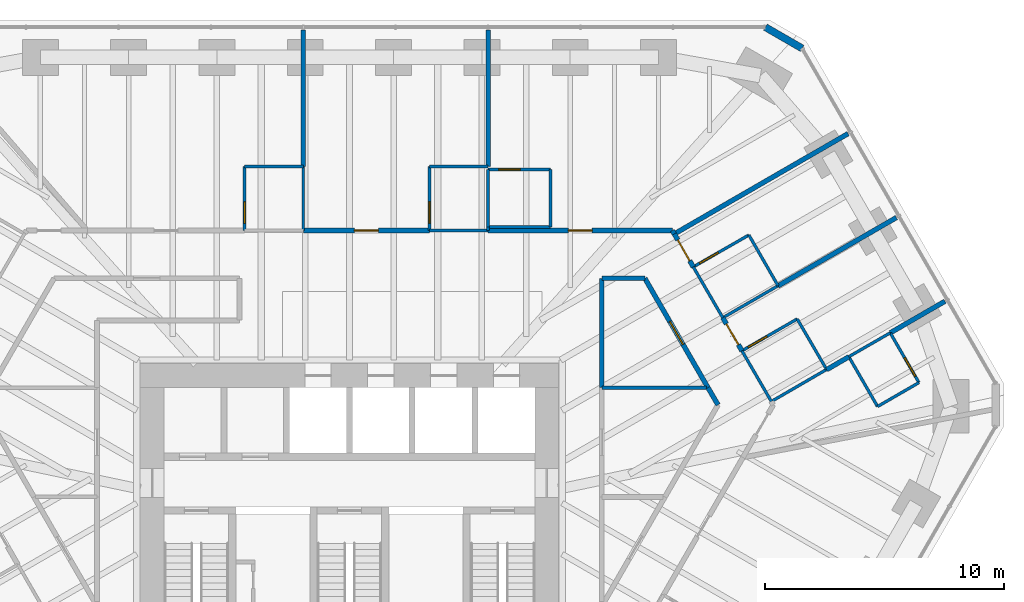
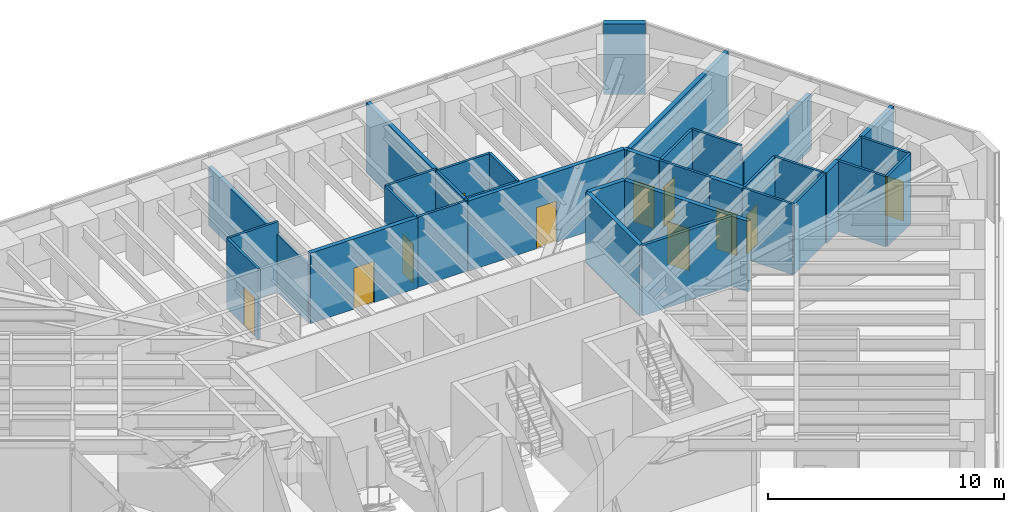
# One storey, part 15 of 17: 40 walls, 11 doors, 11 openings.
"""IFC4 building model written with IfcOpenShell, lengths in metres."""

from ifc_helpers import new_model, si_unit, direction, frame, frame_2d, origin, place, context, subcontext, project, spatial, rectangle, extrude, material, layer, layer_set, type_object, element, fill, save


model = new_model("IFC4")

# Units and contexts
model_context = context("Model", 3, precision=1e-05, world=origin(), true_north=direction((0.0, 1.0)))
body_context = subcontext(model_context, "Body", "Model", "MODEL_VIEW")
ifc_project = project(units=[si_unit("LENGTHUNIT", "METRE"), si_unit("AREAUNIT", "SQUARE_METRE"), si_unit("VOLUMEUNIT", "CUBIC_METRE"), si_unit("PLANEANGLEUNIT", "RADIAN"), si_unit("MASSUNIT", "GRAM", prefix="KILO")], contexts=[model_context])

# Site, building, storey
site_placement = place(None, origin())
site = spatial("IfcSite", under=ifc_project, at=site_placement, CompositionType="ELEMENT")
building_placement = place(site_placement, origin())
building = spatial("IfcBuilding", under=site, at=building_placement, Name="Sandreach Pilgrim Tower", CompositionType="ELEMENT")
storey_placement = place(building_placement, frame((0.0, 0.0, 198.39990234375)))
storey = spatial("IfcBuildingStorey", under=building, at=storey_placement, Name="L49", CompositionType="ELEMENT", Elevation=198.39990234375)

# Wall
ifc_material_1 = material(Name="Gypsum board on steel studs", Category="steel")
ifc_layer_1 = layer(ifc_material_1, 0.14990234375)
ifc_layer_set_1 = layer_set([ifc_layer_1], Name="Back of house wall 150")
wall_type_1 = type_object("IfcWallType", Name="Back of house wall 150", PredefinedType="PARTITIONING", material=ifc_layer_set_1)
wall_1_placement = place(storey_placement, frame((14.93505859375, 6.090087890625, 0.0), z_axis=(0.0, 0.0, 1.0), x_axis=(-1.0, 0.0, 0.0)))
element("IfcWall", 1, at=wall_1_placement, inside=storey, type_object=wall_type_1, Name="Back of house wall L49-140", PredefinedType="PARTITIONING", context=body_context, shape_type="SweptSolid", body=[
    extrude(rectangle(XDim=4.385009765625, YDim=0.14990234375, at=frame_2d((2.1923828125, 0.0))), origin(), (0.0, 0.0, 1.0), 3.64013671875),
])

# Wall, opening, door
ifc_material_2 = material(Name="Moisture-resistant gypsum board on steel studs", Category="steel")
ifc_layer_2 = layer(ifc_material_2, 0.1201171875)
ifc_layer_set_2 = layer_set([ifc_layer_2], Name="Bathroom partition 120")
wall_type_2 = type_object("IfcWallType", Name="Bathroom partition 120", PredefinedType="PARTITIONING", material=ifc_layer_set_2)
wall_2_placement = place(storey_placement, frame((-4.3798828125, 15.330078125, 0.0), z_axis=(0.0, 0.0, 1.0), x_axis=(0.0, -1.0, 0.0)))
wall_2 = element("IfcWall", 2, at=wall_2_placement, inside=storey, type_object=wall_type_2, Name="Bathroom partition L49-064", PredefinedType="PARTITIONING", context=body_context, shape_type="SweptSolid", body=[
    extrude(rectangle(XDim=2.670166015625, YDim=0.1201171875, at=frame_2d((1.3349609375, 0.0))), origin(), (0.0, 0.0, 1.0), 3.64013671875),
])
opening_1_placement = place(wall_2_placement, frame((1.469970703125, 0.0, 0.0)))
opening_1 = element("IfcOpeningElement", 3, at=opening_1_placement, cuts=wall_2, Name="Opening D09-01B", PredefinedType="OPENING", context=body_context, shape_type="SweptSolid", body=[
    extrude(rectangle(XDim=0.89990234375, YDim=2.030029296875, at=frame_2d((0.449951171875, 1.01513671875))), frame((0.0, 0.06005859375, 0.0), z_axis=(0.0, -1.0, 0.0), x_axis=(1.0, 0.0, 0.0)), (0.0, 0.0, 1.0), 0.1201171875),
])
ifc_material_3 = material(Name="Timber door, steel frame", Category="steel")
door_type_1 = type_object("IfcDoorType", Name="Bathroom door", OperationType="SINGLE_SWING_LEFT", PredefinedType="DOOR", material=ifc_material_3)
door_1_placement = place(opening_1_placement, origin())
door_1 = element("IfcDoor", 4, at=door_1_placement, inside=storey, type_object=door_type_1, Name="Door 4901B", OperationType="SINGLE_SWING_RIGHT", OverallHeight=2.030029296875, OverallWidth=0.89990234375, PredefinedType="DOOR", context=body_context, shape_type="SweptSolid", body=[
    extrude(rectangle(XDim=0.89990234375, YDim=2.030029296875, at=frame_2d((0.449951171875, 1.01513671875))), frame((0.0, 0.02490234375, 0.0), z_axis=(0.0, -1.0, 0.0), x_axis=(1.0, 0.0, 0.0)), (0.0, 0.0, 1.0), 0.050048828125),
])
fill(opening_1, door_1)

# Walls
wall_3_placement = place(storey_placement, frame((-1.929931640625, 15.330078125, 0.0), z_axis=(0.0, 0.0, 1.0), x_axis=(-1.0, 0.0, 0.0)))
element("IfcWall", 5, at=wall_3_placement, inside=storey, type_object=wall_type_2, Name="Bathroom partition L49-077", PredefinedType="PARTITIONING", context=body_context, shape_type="SweptSolid", body=[
    extrude(rectangle(XDim=2.449951171875, YDim=0.1201171875, at=frame_2d((1.22509765625, 0.0))), origin(), (0.0, 0.0, 1.0), 3.64013671875),
])
wall_4_placement = place(storey_placement, frame((-1.929931640625, 15.330078125, 0.0), z_axis=(0.0, 0.0, 1.0), x_axis=(0.0, -1.0, 0.0)))
element("IfcWall", 6, at=wall_4_placement, inside=storey, type_object=wall_type_2, Name="Bathroom partition L49-078", PredefinedType="PARTITIONING", context=body_context, shape_type="SweptSolid", body=[
    extrude(rectangle(XDim=2.670166015625, YDim=0.1201171875, at=frame_2d((1.3349609375, 0.0))), origin(), (0.0, 0.0, 1.0), 3.02294921875),
])

# Wall, opening, door
wall_5_placement = place(storey_placement, frame((3.35009765625, 15.330078125, 0.0), z_axis=(0.0, 0.0, 1.0), x_axis=(0.0, -1.0, 0.0)))
wall_5 = element("IfcWall", 7, at=wall_5_placement, inside=storey, type_object=wall_type_2, Name="Bathroom partition L49-094", PredefinedType="PARTITIONING", context=body_context, shape_type="SweptSolid", body=[
    extrude(rectangle(XDim=2.670166015625, YDim=0.1201171875, at=frame_2d((1.3349609375, 0.0))), origin(), (0.0, 0.0, 1.0), 3.64013671875),
])
opening_2_placement = place(wall_5_placement, frame((1.469970703125, 0.0, 0.0)))
opening_2 = element("IfcOpeningElement", 8, at=opening_2_placement, cuts=wall_5, Name="Opening D09-02B", PredefinedType="OPENING", context=body_context, shape_type="SweptSolid", body=[
    extrude(rectangle(XDim=0.89990234375, YDim=2.030029296875, at=frame_2d((0.449951171875, 1.01513671875))), frame((0.0, 0.06005859375, 0.0), z_axis=(0.0, -1.0, 0.0), x_axis=(1.0, 0.0, 0.0)), (0.0, 0.0, 1.0), 0.1201171875),
])
door_2_placement = place(opening_2_placement, origin())
door_2 = element("IfcDoor", 9, at=door_2_placement, inside=storey, type_object=door_type_1, Name="Door 4902B", OperationType="SINGLE_SWING_RIGHT", OverallHeight=2.030029296875, OverallWidth=0.89990234375, PredefinedType="DOOR", context=body_context, shape_type="SweptSolid", body=[
    extrude(rectangle(XDim=0.89990234375, YDim=2.030029296875, at=frame_2d((0.449951171875, 1.01513671875))), frame((0.0, 0.02490234375, 0.0), z_axis=(0.0, -1.0, 0.0), x_axis=(1.0, 0.0, 0.0)), (0.0, 0.0, 1.0), 0.050048828125),
])
fill(opening_2, door_2)

# Walls
wall_6_placement = place(storey_placement, frame((5.800048828125, 12.659912109375, 0.0), z_axis=(0.0, 0.0, 1.0), x_axis=(-1.0, 0.0, 0.0)))
element("IfcWall", 10, at=wall_6_placement, inside=storey, type_object=wall_type_2, Name="Bathroom partition L49-104", PredefinedType="PARTITIONING", context=body_context, shape_type="SweptSolid", body=[
    extrude(rectangle(XDim=2.449951171875, YDim=0.1201171875, at=frame_2d((1.22509765625, 0.0))), origin(), (0.0, 0.0, 1.0), 3.64013671875),
])
wall_7_placement = place(storey_placement, frame((5.800048828125, 12.81005859375, 0.0), z_axis=(0.0, 0.0, 1.0), x_axis=(0.0, -1.0, 0.0)))
element("IfcWall", 11, at=wall_7_placement, inside=storey, type_object=wall_type_2, Name="Bathroom partition L49-105", PredefinedType="PARTITIONING", context=body_context, shape_type="SweptSolid", body=[
    extrude(rectangle(XDim=0.150146484375, YDim=0.1201171875, at=frame_2d((0.0751953125, 0.0))), origin(), (0.0, 0.0, 1.0), 3.64013671875),
])
wall_8_placement = place(storey_placement, frame((5.800048828125, 12.81005859375, 0.0), z_axis=(0.0, 0.0, 1.0), x_axis=(1.0, 0.0, 0.0)))
element("IfcWall", 12, at=wall_8_placement, inside=storey, type_object=wall_type_2, Name="Bathroom partition L49-106", PredefinedType="PARTITIONING", context=body_context, shape_type="SweptSolid", body=[
    extrude(rectangle(XDim=2.599853515625, YDim=0.1201171875, at=frame_2d((1.2998046875, 0.0))), origin(), (0.0, 0.0, 1.0), 3.64013671875),
])
wall_9_placement = place(storey_placement, frame((5.800048828125, 15.2099609375, 0.0), z_axis=(0.0, 0.0, 1.0), x_axis=(0.0, -1.0, 0.0)))
element("IfcWall", 13, at=wall_9_placement, inside=storey, type_object=wall_type_2, Name="Bathroom partition L49-107", PredefinedType="PARTITIONING", context=body_context, shape_type="SweptSolid", body=[
    extrude(rectangle(XDim=2.39990234375, YDim=0.1201171875, at=frame_2d((1.199951171875, 0.0))), origin(), (0.0, 0.0, 1.0), 3.64013671875),
])
wall_10_placement = place(storey_placement, frame((5.800048828125, 15.330078125, 0.0), z_axis=(0.0, 0.0, 1.0), x_axis=(-1.0, 0.0, 0.0)))
element("IfcWall", 14, at=wall_10_placement, inside=storey, type_object=wall_type_2, Name="Bathroom partition L49-108", PredefinedType="PARTITIONING", context=body_context, shape_type="SweptSolid", body=[
    extrude(rectangle(XDim=2.449951171875, YDim=0.1201171875, at=frame_2d((1.22509765625, 0.0))), origin(), (0.0, 0.0, 1.0), 3.64013671875),
])
wall_11_placement = place(storey_placement, frame((8.39990234375, 12.81005859375, 0.0), z_axis=(0.0, 0.0, 1.0), x_axis=(0.0, 1.0, 0.0)))
element("IfcWall", 15, at=wall_11_placement, inside=storey, type_object=wall_type_2, Name="Bathroom partition L49-116", PredefinedType="PARTITIONING", context=body_context, shape_type="SweptSolid", body=[
    extrude(rectangle(XDim=2.39990234375, YDim=0.1201171875, at=frame_2d((1.199951171875, 0.0))), origin(), (0.0, 0.0, 1.0), 3.64013671875),
])

# Wall, opening, door
wall_12_placement = place(storey_placement, frame((8.39990234375, 15.2099609375, 0.0), z_axis=(0.0, 0.0, 1.0), x_axis=(-1.0, 0.0, 0.0)))
wall_12 = element("IfcWall", 16, at=wall_12_placement, inside=storey, type_object=wall_type_2, Name="Bathroom partition L49-117", PredefinedType="PARTITIONING", context=body_context, shape_type="SweptSolid", body=[
    extrude(rectangle(XDim=2.599853515625, YDim=0.1201171875, at=frame_2d((1.2998046875, 0.0))), origin(), (0.0, 0.0, 1.0), 3.64013671875),
])
opening_3_placement = place(wall_12_placement, frame((1.25, 0.0, 0.0)))
opening_3 = element("IfcOpeningElement", 17, at=opening_3_placement, cuts=wall_12, Name="Opening D09-03B", PredefinedType="OPENING", context=body_context, shape_type="SweptSolid", body=[
    extrude(rectangle(XDim=0.89990234375, YDim=2.030029296875, at=frame_2d((0.449951171875, 1.01513671875))), frame((0.0, 0.06005859375, 0.0), z_axis=(0.0, -1.0, 0.0), x_axis=(1.0, 0.0, 0.0)), (0.0, 0.0, 1.0), 0.1201171875),
])
door_3_placement = place(opening_3_placement, origin())
door_3 = element("IfcDoor", 18, at=door_3_placement, inside=storey, type_object=door_type_1, Name="Door 4903B", OperationType="SINGLE_SWING_RIGHT", OverallHeight=2.030029296875, OverallWidth=0.89990234375, PredefinedType="DOOR", context=body_context, shape_type="SweptSolid", body=[
    extrude(rectangle(XDim=0.89990234375, YDim=2.030029296875, at=frame_2d((0.449951171875, 1.01513671875))), frame((0.0, 0.02490234375, 0.0), z_axis=(0.0, -1.0, 0.0), x_axis=(1.0, 0.0, 0.0)), (0.0, 0.0, 1.0), 0.050048828125),
])
fill(opening_3, door_3)

# Walls
wall_13_placement = place(storey_placement, frame((14.37548828125, 11.137451171875, 0.0), z_axis=(0.0, 0.0, 1.0), x_axis=(0.501931973027, -0.864907101632, 0.0)))
element("IfcWall", 19, at=wall_13_placement, inside=storey, type_object=wall_type_2, Name="Bathroom partition L49-139", PredefinedType="PARTITIONING", context=body_context, shape_type="SweptSolid", body=[
    extrude(rectangle(XDim=2.459716796875, YDim=0.1201171875, at=frame_2d((1.22998046875, 0.0))), origin(), (0.0, 0.0, 1.0), 3.64013671875),
])
wall_14_placement = place(storey_placement, frame((16.409912109375, 7.6298828125, 0.0), z_axis=(0.0, 0.0, 1.0), x_axis=(0.501856726365, -0.86495076519, 0.0)))
element("IfcWall", 20, at=wall_14_placement, inside=storey, type_object=wall_type_2, Name="Bathroom partition L49-145", PredefinedType="PARTITIONING", context=body_context, shape_type="SweptSolid", body=[
    extrude(rectangle(XDim=2.450927734375, YDim=0.1201171875, at=frame_2d((1.2255859375, 0.0))), origin(), (0.0, 0.0, 1.0), 3.64013671875),
])

# Wall, opening, door
wall_15_placement = place(storey_placement, frame((16.699951171875, 12.469970703125, 0.0), z_axis=(0.0, 0.0, 1.0), x_axis=(-0.867545659855, -0.497357545501, 0.0)))
wall_15 = element("IfcWall", 21, at=wall_15_placement, inside=storey, type_object=wall_type_2, Name="Bathroom partition L49-148", PredefinedType="PARTITIONING", context=body_context, shape_type="SweptSolid", body=[
    extrude(rectangle(XDim=2.67431640625, YDim=0.1201171875, at=frame_2d((1.337158203125, 0.0))), origin(), (0.0, 0.0, 1.0), 3.64013671875),
])
opening_4_placement = place(wall_15_placement, frame((1.47412109375, 0.0, 0.0)))
opening_4 = element("IfcOpeningElement", 22, at=opening_4_placement, cuts=wall_15, Name="Opening D09-04B", PredefinedType="OPENING", context=body_context, shape_type="SweptSolid", body=[
    extrude(rectangle(XDim=0.89990234375, YDim=2.030029296875, at=frame_2d((0.449951171875, 1.01513671875))), frame((0.0, 0.06005859375, 0.0), z_axis=(0.0, -1.0, 0.0), x_axis=(1.0, 0.0, 0.0)), (0.0, 0.0, 1.0), 0.1201171875),
])
door_4_placement = place(opening_4_placement, origin())
door_4 = element("IfcDoor", 23, at=door_4_placement, inside=storey, type_object=door_type_1, Name="Door 4904B", OperationType="SINGLE_SWING_RIGHT", OverallHeight=2.030029296875, OverallWidth=0.89990234375, PredefinedType="DOOR", context=body_context, shape_type="SweptSolid", body=[
    extrude(rectangle(XDim=0.89990234375, YDim=2.030029296875, at=frame_2d((0.449951171875, 1.01513671875))), frame((0.0, 0.02490234375, 0.0), z_axis=(0.0, -1.0, 0.0), x_axis=(1.0, 0.0, 0.0)), (0.0, 0.0, 1.0), 0.050048828125),
])
fill(opening_4, door_4)

# Walls
wall_16_placement = place(storey_placement, frame((17.639892578125, 5.510009765625, 0.0), z_axis=(0.0, 0.0, 1.0), x_axis=(0.86498992408, 0.501789229896, 0.0)))
element("IfcWall", 24, at=wall_16_placement, inside=storey, type_object=wall_type_2, Name="Bathroom partition L49-149", PredefinedType="PARTITIONING", context=body_context, shape_type="SweptSolid", body=[
    extrude(rectangle(XDim=2.670654296875, YDim=0.1201171875, at=frame_2d((1.33544921875, 0.0))), origin(), (0.0, 0.0, 1.0), 3.64013671875),
])
wall_17_placement = place(storey_placement, frame((17.919921875, 10.35009765625, 0.0), z_axis=(0.0, 0.0, 1.0), x_axis=(-0.864966903181, -0.501828911485, 0.0)))
element("IfcWall", 25, at=wall_17_placement, inside=storey, type_object=wall_type_2, Name="Bathroom partition L49-151", PredefinedType="PARTITIONING", context=body_context, shape_type="SweptSolid", body=[
    extrude(rectangle(XDim=2.67041015625, YDim=0.1201171875, at=frame_2d((1.335205078125, 0.0))), origin(), (0.0, 0.0, 1.0), 2.878173828125),
])
wall_18_placement = place(storey_placement, frame((17.919921875, 10.35009765625, 0.0), z_axis=(0.0, 0.0, 1.0), x_axis=(-0.498791783817, 0.866721844883, 0.0)))
element("IfcWall", 26, at=wall_18_placement, inside=storey, type_object=wall_type_2, Name="Bathroom partition L49-152", PredefinedType="PARTITIONING", context=body_context, shape_type="SweptSolid", body=[
    extrude(rectangle(XDim=2.44580078125, YDim=0.1201171875, at=frame_2d((1.222900390625, 0.0))), origin(), (0.0, 0.0, 1.0), 3.64013671875),
])

# Wall, opening, door
wall_19_placement = place(storey_placement, frame((18.719970703125, 8.9599609375, 0.0), z_axis=(0.0, 0.0, 1.0), x_axis=(-0.866654860089, -0.498908161372, 0.0)))
wall_19 = element("IfcWall", 27, at=wall_19_placement, inside=storey, type_object=wall_type_2, Name="Bathroom partition L49-154", PredefinedType="PARTITIONING", context=body_context, shape_type="SweptSolid", body=[
    extrude(rectangle(XDim=2.66552734375, YDim=0.1201171875, at=frame_2d((1.332763671875, 0.0))), origin(), (0.0, 0.0, 1.0), 3.64013671875),
])
opening_5_placement = place(wall_19_placement, frame((1.465576171875, 0.0, 0.0)))
opening_5 = element("IfcOpeningElement", 28, at=opening_5_placement, cuts=wall_19, Name="Opening D09-05B", PredefinedType="OPENING", context=body_context, shape_type="SweptSolid", body=[
    extrude(rectangle(XDim=0.89990234375, YDim=2.030029296875, at=frame_2d((0.449951171875, 1.01513671875))), frame((0.0, 0.06005859375, 0.0), z_axis=(0.0, -1.0, 0.0), x_axis=(1.0, 0.0, 0.0)), (0.0, 0.0, 1.0), 0.1201171875),
])
door_5_placement = place(opening_5_placement, origin())
door_5 = element("IfcDoor", 29, at=door_5_placement, inside=storey, type_object=door_type_1, Name="Door 4905B", OperationType="SINGLE_SWING_RIGHT", OverallHeight=2.030029296875, OverallWidth=0.89990234375, PredefinedType="DOOR", context=body_context, shape_type="SweptSolid", body=[
    extrude(rectangle(XDim=0.89990234375, YDim=2.030029296875, at=frame_2d((0.449951171875, 1.01513671875))), frame((0.0, 0.02490234375, 0.0), z_axis=(0.0, -1.0, 0.0), x_axis=(1.0, 0.0, 0.0)), (0.0, 0.0, 1.0), 0.050048828125),
])
fill(opening_5, door_5)

# Walls
wall_20_placement = place(storey_placement, frame((19.949951171875, 6.85009765625, 0.0), z_axis=(0.0, 0.0, 1.0), x_axis=(-0.503634814725, 0.863916647251, 0.0)))
element("IfcWall", 30, at=wall_20_placement, inside=storey, type_object=wall_type_2, Name="Bathroom partition L49-155", PredefinedType="PARTITIONING", context=body_context, shape_type="SweptSolid", body=[
    extrude(rectangle(XDim=2.442138671875, YDim=0.1201171875, at=frame_2d((1.22119140625, 0.0))), origin(), (0.0, 0.0, 1.0), 3.64013671875),
])
wall_21_placement = place(storey_placement, frame((20.878173828125, 7.383056640625, 0.0), z_axis=(0.0, 0.0, 1.0), x_axis=(0.866697688948, 0.498833755847, 0.0)))
element("IfcWall", 31, at=wall_21_placement, inside=storey, type_object=wall_type_2, Name="Bathroom partition L49-157", PredefinedType="PARTITIONING", context=body_context, shape_type="SweptSolid", body=[
    extrude(rectangle(XDim=1.998291015625, YDim=0.1201171875, at=frame_2d((0.9990234375, 0.0))), origin(), (0.0, 0.0, 1.0), 3.64013671875),
])
wall_22_placement = place(storey_placement, frame((20.8798828125, 7.3798828125, 0.0), z_axis=(0.0, 0.0, 1.0), x_axis=(0.499813401482, -0.866133109688, 0.0)))
element("IfcWall", 32, at=wall_22_placement, inside=storey, type_object=wall_type_2, Name="Bathroom partition L49-159", PredefinedType="PARTITIONING", context=body_context, shape_type="SweptSolid", body=[
    extrude(rectangle(XDim=2.4013671875, YDim=0.1201171875, at=frame_2d((1.20068359375, 0.0))), origin(), (0.0, 0.0, 1.0), 3.64013671875),
])
wall_23_placement = place(storey_placement, frame((22.080078125, 5.300048828125, 0.0), z_axis=(0.0, 0.0, 1.0), x_axis=(0.865766263046, 0.50044857655, 0.0)))
element("IfcWall", 33, at=wall_23_placement, inside=storey, type_object=wall_type_2, Name="Bathroom partition L49-160", PredefinedType="PARTITIONING", context=body_context, shape_type="SweptSolid", body=[
    extrude(rectangle(XDim=1.998291015625, YDim=0.1201171875, at=frame_2d((0.9990234375, 0.0))), origin(), (0.0, 0.0, 1.0), 3.64013671875),
])

# Wall, opening, door
wall_24_placement = place(storey_placement, frame((23.81005859375, 6.300048828125, 0.0), z_axis=(0.0, 0.0, 1.0), x_axis=(-0.499737123639, 0.866177122335, 0.0)))
wall_24 = element("IfcWall", 34, at=wall_24_placement, inside=storey, type_object=wall_type_2, Name="Bathroom partition L49-162", PredefinedType="PARTITIONING", context=body_context, shape_type="SweptSolid", body=[
    extrude(rectangle(XDim=2.401123046875, YDim=0.1201171875, at=frame_2d((1.20068359375, 0.0))), origin(), (0.0, 0.0, 1.0), 3.64013671875),
])
opening_6_placement = place(wall_24_placement, frame((0.300048828125, 0.0, 0.0)))
opening_6 = element("IfcOpeningElement", 35, at=opening_6_placement, cuts=wall_24, Name="Opening D09-06B", PredefinedType="OPENING", context=body_context, shape_type="SweptSolid", body=[
    extrude(rectangle(XDim=0.89990234375, YDim=2.030029296875, at=frame_2d((0.449951171875, 1.01513671875))), frame((0.0, 0.06005859375, 0.0), z_axis=(0.0, -1.0, 0.0), x_axis=(1.0, 0.0, 0.0)), (0.0, 0.0, 1.0), 0.1201171875),
])
door_6_placement = place(opening_6_placement, origin())
door_6 = element("IfcDoor", 36, at=door_6_placement, inside=storey, type_object=door_type_1, Name="Door 4906B", OperationType="SINGLE_SWING_LEFT", OverallHeight=2.030029296875, OverallWidth=0.89990234375, PredefinedType="DOOR", context=body_context, shape_type="SweptSolid", body=[
    extrude(rectangle(XDim=0.89990234375, YDim=2.030029296875, at=frame_2d((0.449951171875, 1.01513671875))), frame((0.0, 0.02490234375, 0.0), z_axis=(0.0, -1.0, 0.0), x_axis=(1.0, 0.0, 0.0)), (0.0, 0.0, 1.0), 0.050048828125),
])
fill(opening_6, door_6)

ifc_material_4 = material(Name="Gypsum board on steel studs, two layers each side", Category="steel")
ifc_layer_3 = layer(ifc_material_4, 0.199951171875)
ifc_layer_set_3 = layer_set([ifc_layer_3], Name="Corridor wall 200")
wall_type_3 = type_object("IfcWallType", Name="Corridor wall 200", PredefinedType="PARTITIONING", material=ifc_layer_set_3)
wall_25_placement = place(storey_placement, frame((3.35009765625, 12.659912109375, 0.0), z_axis=(0.0, 0.0, 1.0), x_axis=(-1.0, 0.0, 0.0)))
wall_25 = element("IfcWall", 37, at=wall_25_placement, inside=storey, type_object=wall_type_3, Name="Corridor wall L49-093", PredefinedType="PARTITIONING", context=body_context, shape_type="SweptSolid", body=[
    extrude(rectangle(XDim=5.280029296875, YDim=0.199951171875, at=frame_2d((2.64013671875, 0.0))), origin(), (0.0, 0.0, 1.0), 3.64013671875),
])
opening_7_placement = place(wall_25_placement, frame((2.139892578125, 0.0, 0.0)))
opening_7 = element("IfcOpeningElement", 38, at=opening_7_placement, cuts=wall_25, Name="Opening D10-02", PredefinedType="OPENING", context=body_context, shape_type="SweptSolid", body=[
    extrude(rectangle(XDim=1.0, YDim=2.1298828125, at=frame_2d((0.5, 1.06494140625))), frame((0.0, 0.10009765625, 0.0), z_axis=(0.0, -1.0, 0.0), x_axis=(1.0, 0.0, 0.0)), (0.0, 0.0, 1.0), 0.199951171875),
])
ifc_material_5 = material(Name="Steel door and frame", Category="steel")
door_type_2 = type_object("IfcDoorType", Name="Guest room entry door", OperationType="SINGLE_SWING_LEFT", PredefinedType="DOOR", material=ifc_material_5)
door_7_placement = place(opening_7_placement, origin())
door_7 = element("IfcDoor", 39, at=door_7_placement, inside=storey, type_object=door_type_2, Name="Door 4902", OperationType="SINGLE_SWING_LEFT", OverallHeight=2.1298828125, OverallWidth=1.0, PredefinedType="DOOR", context=body_context, shape_type="SweptSolid", body=[
    extrude(rectangle(XDim=1.0, YDim=2.1298828125, at=frame_2d((0.5, 1.06494140625))), frame((0.0, 0.02490234375, 0.0), z_axis=(0.0, -1.0, 0.0), x_axis=(1.0, 0.0, 0.0)), (0.0, 0.0, 1.0), 0.050048828125),
])
fill(opening_7, door_7)

# Walls
wall_26_placement = place(storey_placement, frame((10.550048828125, 6.090087890625, 0.0), z_axis=(0.0, 0.0, 1.0), x_axis=(0.0, 1.0, 0.0)))
element("IfcWall", 40, at=wall_26_placement, inside=storey, type_object=wall_type_3, Name="Corridor wall L49-125", PredefinedType="PARTITIONING", context=body_context, shape_type="SweptSolid", body=[
    extrude(rectangle(XDim=4.56982421875, YDim=0.199951171875, at=frame_2d((2.284912109375, 0.0))), origin(), (0.0, 0.0, 1.0), 3.64013671875),
])
wall_27_placement = place(storey_placement, frame((10.56005859375, 10.659912109375, 0.0), z_axis=(0.0, 0.0, 1.0), x_axis=(1.0, 0.0, 0.0)))
element("IfcWall", 41, at=wall_27_placement, inside=storey, type_object=wall_type_3, Name="Corridor wall L49-127", PredefinedType="PARTITIONING", context=body_context, shape_type="SweptSolid", body=[
    extrude(rectangle(XDim=1.7900390625, YDim=0.199951171875, at=frame_2d((0.89501953125, 0.0))), origin(), (0.0, 0.0, 1.0), 3.64013671875),
])

# Wall, opening, door
wall_28_placement = place(storey_placement, frame((12.35009765625, 10.659912109375, 0.0), z_axis=(0.0, 0.0, 1.0), x_axis=(0.500213626659, -0.86590203124, 0.0)))
wall_28 = element("IfcWall", 42, at=wall_28_placement, inside=storey, type_object=wall_type_3, Name="Corridor wall L49-131", PredefinedType="PARTITIONING", context=body_context, shape_type="SweptSolid", body=[
    extrude(rectangle(XDim=5.277587890625, YDim=0.199951171875, at=frame_2d((2.638671875, 0.0))), origin(), (0.0, 0.0, 1.0), 3.64013671875),
])
opening_8_placement = place(wall_28_placement, frame((2.0888671875, 0.0, 0.0)))
opening_8 = element("IfcOpeningElement", 43, at=opening_8_placement, cuts=wall_28, Name="Opening D11H-M05", PredefinedType="OPENING", context=body_context, shape_type="SweptSolid", body=[
    extrude(rectangle(XDim=1.10009765625, YDim=2.199951171875, at=frame_2d((0.550048828125, 1.10009765625))), frame((0.0, 0.10009765625, 0.0), z_axis=(0.0, -1.0, 0.0), x_axis=(1.0, 0.0, 0.0)), (0.0, 0.0, 1.0), 0.199951171875),
])
ifc_material_6 = material(Name="Steel door and frame", Category="steel")
door_type_3 = type_object("IfcDoorType", Name="Back of house door", OperationType="SINGLE_SWING_LEFT", PredefinedType="DOOR", material=ifc_material_6)
door_8_placement = place(opening_8_placement, origin())
door_8 = element("IfcDoor", 44, at=door_8_placement, inside=storey, type_object=door_type_3, Name="Door 49M05", OperationType="SINGLE_SWING_LEFT", OverallHeight=2.199951171875, OverallWidth=1.10009765625, PredefinedType="DOOR", context=body_context, shape_type="SweptSolid", body=[
    extrude(rectangle(XDim=1.10009765625, YDim=2.199951171875, at=frame_2d((0.550048828125, 1.10009765625))), frame((0.0, 0.02490234375, 0.0), z_axis=(0.0, -1.0, 0.0), x_axis=(1.0, 0.0, 0.0)), (0.0, 0.0, 1.0), 0.050048828125),
])
fill(opening_8, door_8)

wall_29_placement = place(storey_placement, frame((13.5, 12.659912109375, 0.0), z_axis=(0.0, 0.0, 1.0), x_axis=(-1.0, 0.0, 0.0)))
wall_29 = element("IfcWall", 45, at=wall_29_placement, inside=storey, type_object=wall_type_3, Name="Corridor wall L49-134", PredefinedType="PARTITIONING", context=body_context, shape_type="SweptSolid", body=[
    extrude(rectangle(XDim=7.699951171875, YDim=0.199951171875, at=frame_2d((3.85009765625, 0.0))), origin(), (0.0, 0.0, 1.0), 3.64013671875),
])
opening_9_placement = place(wall_29_placement, frame((3.35009765625, 0.0, 0.0)))
opening_9 = element("IfcOpeningElement", 46, at=opening_9_placement, cuts=wall_29, Name="Opening D10-03", PredefinedType="OPENING", context=body_context, shape_type="SweptSolid", body=[
    extrude(rectangle(XDim=1.0, YDim=2.1298828125, at=frame_2d((0.5, 1.06494140625))), frame((0.0, 0.10009765625, 0.0), z_axis=(0.0, -1.0, 0.0), x_axis=(1.0, 0.0, 0.0)), (0.0, 0.0, 1.0), 0.199951171875),
])
door_9_placement = place(opening_9_placement, origin())
door_9 = element("IfcDoor", 47, at=door_9_placement, inside=storey, type_object=door_type_2, Name="Door 4903", OperationType="SINGLE_SWING_LEFT", OverallHeight=2.1298828125, OverallWidth=1.0, PredefinedType="DOOR", context=body_context, shape_type="SweptSolid", body=[
    extrude(rectangle(XDim=1.0, YDim=2.1298828125, at=frame_2d((0.5, 1.06494140625))), frame((0.0, 0.02490234375, 0.0), z_axis=(0.0, -1.0, 0.0), x_axis=(1.0, 0.0, 0.0)), (0.0, 0.0, 1.0), 0.050048828125),
])
fill(opening_9, door_9)

# Wall
wall_30_placement = place(storey_placement, frame((13.5, 12.659912109375, 0.0), z_axis=(0.0, 0.0, 1.0), x_axis=(0.498194987799, -0.867065023013, 0.0)))
element("IfcWall", 48, at=wall_30_placement, inside=storey, type_object=wall_type_3, Name="Corridor wall L49-135", PredefinedType="PARTITIONING", context=body_context, shape_type="SweptSolid", body=[
    extrude(rectangle(XDim=0.166015625, YDim=0.199951171875, at=frame_2d((0.0830078125, 0.0))), origin(), (0.0, 0.0, 1.0), 3.64013671875),
])

# Wall, opening, door
wall_31_placement = place(storey_placement, frame((13.582763671875, 12.515869140625, 0.0), z_axis=(0.0, 0.0, 1.0), x_axis=(0.498534585837, -0.866869809559, 0.0)))
wall_31 = element("IfcWall", 49, at=wall_31_placement, inside=storey, type_object=wall_type_3, Name="Corridor wall L49-136", PredefinedType="PARTITIONING", context=body_context, shape_type="SweptSolid", body=[
    extrude(rectangle(XDim=1.590087890625, YDim=0.199951171875, at=frame_2d((0.794921875, 0.0))), origin(), (0.0, 0.0, 1.0), 3.64013671875),
])
opening_10_placement = place(wall_31_placement, frame((0.295166015625, 0.0, 0.0)))
opening_10 = element("IfcOpeningElement", 50, at=opening_10_placement, cuts=wall_31, Name="Opening D10-04", PredefinedType="OPENING", context=body_context, shape_type="SweptSolid", body=[
    extrude(rectangle(XDim=1.0, YDim=2.1298828125, at=frame_2d((0.5, 1.06494140625))), frame((0.0, 0.10009765625, 0.0), z_axis=(0.0, -1.0, 0.0), x_axis=(1.0, 0.0, 0.0)), (0.0, 0.0, 1.0), 0.199951171875),
])
door_10_placement = place(opening_10_placement, origin())
door_10 = element("IfcDoor", 51, at=door_10_placement, inside=storey, type_object=door_type_2, Name="Door 4904", OperationType="SINGLE_SWING_LEFT", OverallHeight=2.1298828125, OverallWidth=1.0, PredefinedType="DOOR", context=body_context, shape_type="SweptSolid", body=[
    extrude(rectangle(XDim=1.0, YDim=2.1298828125, at=frame_2d((0.5, 1.06494140625))), frame((0.0, 0.02490234375, 0.0), z_axis=(0.0, -1.0, 0.0), x_axis=(1.0, 0.0, 0.0)), (0.0, 0.0, 1.0), 0.050048828125),
])
fill(opening_10, door_10)

# Wall
wall_32_placement = place(storey_placement, frame((14.989990234375, 6.090087890625, 0.0), z_axis=(0.0, 0.0, 1.0), x_axis=(0.503816387241, -0.863810770914, 0.0)))
element("IfcWall", 52, at=wall_32_placement, inside=storey, type_object=wall_type_3, Name="Corridor wall L49-141", PredefinedType="PARTITIONING", context=body_context, shape_type="SweptSolid", body=[
    extrude(rectangle(XDim=0.83349609375, YDim=0.199951171875, at=frame_2d((0.416748046875, 0.0))), origin(), (0.0, 0.0, 1.0), 3.64013671875),
])

# Wall, opening, door
wall_33_placement = place(storey_placement, frame((15.610107421875, 9.010009765625, 0.0), z_axis=(0.0, 0.0, 1.0), x_axis=(0.5014706583, -0.865174652232, 0.0)))
wall_33 = element("IfcWall", 53, at=wall_33_placement, inside=storey, type_object=wall_type_3, Name="Corridor wall L49-144", PredefinedType="PARTITIONING", context=body_context, shape_type="SweptSolid", body=[
    extrude(rectangle(XDim=1.594970703125, YDim=0.199951171875, at=frame_2d((0.79736328125, 0.0))), origin(), (0.0, 0.0, 1.0), 3.64013671875),
])
opening_11_placement = place(wall_33_placement, frame((0.297607421875, 0.0, 0.0)))
opening_11 = element("IfcOpeningElement", 54, at=opening_11_placement, cuts=wall_33, Name="Opening D10-05", PredefinedType="OPENING", context=body_context, shape_type="SweptSolid", body=[
    extrude(rectangle(XDim=1.0, YDim=2.1298828125, at=frame_2d((0.5, 1.06494140625))), frame((0.0, 0.10009765625, 0.0), z_axis=(0.0, -1.0, 0.0), x_axis=(1.0, 0.0, 0.0)), (0.0, 0.0, 1.0), 0.199951171875),
])
door_11_placement = place(opening_11_placement, origin())
door_11 = element("IfcDoor", 55, at=door_11_placement, inside=storey, type_object=door_type_2, Name="Door 4905", OperationType="SINGLE_SWING_LEFT", OverallHeight=2.1298828125, OverallWidth=1.0, PredefinedType="DOOR", context=body_context, shape_type="SweptSolid", body=[
    extrude(rectangle(XDim=1.0, YDim=2.1298828125, at=frame_2d((0.5, 1.06494140625))), frame((0.0, 0.02490234375, 0.0), z_axis=(0.0, -1.0, 0.0), x_axis=(1.0, 0.0, 0.0)), (0.0, 0.0, 1.0), 0.050048828125),
])
fill(opening_11, door_11)

# Walls
ifc_material_7 = material(Name="Double steel stud acoustic wall, gypsum board", Category="steel")
ifc_layer_4 = layer(ifc_material_7, 0.199951171875)
ifc_layer_set_4 = layer_set([ifc_layer_4], Name="Party wall 200")
wall_type_4 = type_object("IfcWallType", Name="Party wall 200", PredefinedType="PARTITIONING", material=ifc_layer_set_4)
wall_34_placement = place(storey_placement, frame((-1.929931640625, 21.0400390625, 0.0), z_axis=(0.0, 0.0, 1.0), x_axis=(0.0, -1.0, 0.0)))
element("IfcWall", 56, at=wall_34_placement, inside=storey, type_object=wall_type_4, Name="Party wall L49-079", PredefinedType="PARTITIONING", context=body_context, shape_type="SweptSolid", body=[
    extrude(rectangle(XDim=5.7099609375, YDim=0.199951171875, at=frame_2d((2.85498046875, 0.0))), origin(), (0.0, 0.0, 1.0), 3.02294921875),
])
wall_35_placement = place(storey_placement, frame((5.800048828125, 21.0400390625, 0.0), z_axis=(0.0, 0.0, 1.0), x_axis=(0.0, -1.0, 0.0)))
element("IfcWall", 57, at=wall_35_placement, inside=storey, type_object=wall_type_4, Name="Party wall L49-109", PredefinedType="PARTITIONING", context=body_context, shape_type="SweptSolid", body=[
    extrude(rectangle(XDim=5.7099609375, YDim=0.199951171875, at=frame_2d((2.85498046875, 0.0))), origin(), (0.0, 0.0, 1.0), 3.64013671875),
])
wall_36_placement = place(storey_placement, frame((17.922607421875, 10.345458984375, 0.0), z_axis=(0.0, 0.0, 1.0), x_axis=(0.865991848905, 0.500058114253, 0.0)))
element("IfcWall", 58, at=wall_36_placement, inside=storey, type_object=wall_type_4, Name="Party wall L49-153", PredefinedType="PARTITIONING", context=body_context, shape_type="SweptSolid", body=[
    extrude(rectangle(XDim=5.708251953125, YDim=0.199951171875, at=frame_2d((2.85400390625, 0.0))), origin(), (0.0, 0.0, 1.0), 2.878173828125),
])
wall_37_placement = place(storey_placement, frame((20.84619140625, 16.7099609375, 0.0), z_axis=(0.0, 0.0, 1.0), x_axis=(-0.865987970466, -0.500064830806, 0.0)))
element("IfcWall", 59, at=wall_37_placement, inside=storey, type_object=wall_type_4, Name="Party wall L49-156", PredefinedType="PARTITIONING", context=body_context, shape_type="SweptSolid", body=[
    extrude(rectangle(XDim=8.3740234375, YDim=0.199951171875, at=frame_2d((4.18701171875, 0.0))), origin(), (0.0, 0.0, 1.0), 3.64013671875),
])
wall_38_placement = place(storey_placement, frame((20.8798828125, 7.3798828125, 0.0), z_axis=(0.0, 0.0, 1.0), x_axis=(-0.864855730486, -0.502020483094, 0.0)))
element("IfcWall", 60, at=wall_38_placement, inside=storey, type_object=wall_type_4, Name="Party wall L49-158", PredefinedType="PARTITIONING", context=body_context, shape_type="SweptSolid", body=[
    extrude(rectangle(XDim=1.0751953125, YDim=0.199951171875, at=frame_2d((0.53759765625, 0.0))), origin(), (0.0, 0.0, 1.0), 3.64013671875),
])
wall_39_placement = place(storey_placement, frame((22.610107421875, 8.3798828125, 0.0), z_axis=(0.0, 0.0, 1.0), x_axis=(0.865974560031, 0.500088053625, 0.0)))
element("IfcWall", 61, at=wall_39_placement, inside=storey, type_object=wall_type_4, Name="Party wall L49-161", PredefinedType="PARTITIONING", context=body_context, shape_type="SweptSolid", body=[
    extrude(rectangle(XDim=2.6396484375, YDim=0.199951171875, at=frame_2d((1.31982421875, 0.0))), origin(), (0.0, 0.0, 1.0), 3.64013671875),
])
ifc_material_8 = material(Name="Terracotta rainscreen on concrete", Category="masonry")
ifc_layer_5 = layer(ifc_material_8, 0.300048828125)
ifc_layer_set_5 = layer_set([ifc_layer_5], Name="Terracotta chamfer pier")
wall_type_5 = type_object("IfcWallType", Name="Terracotta chamfer pier", PredefinedType="SOLIDWALL", material=ifc_layer_set_5)
wall_40_placement = place(storey_placement, frame((17.389892578125, 21.16015625, 0.0), z_axis=(0.0, 0.0, 1.0), x_axis=(0.866036293601, -0.499981137809, 0.0)))
element("IfcWall", 62, at=wall_40_placement, inside=storey, type_object=wall_type_5, Name="Chamfer pier L49 N", PredefinedType="SOLIDWALL", context=body_context, shape_type="SweptSolid", body=[
    extrude(rectangle(XDim=1.77001953125, YDim=0.300048828125, at=frame_2d((0.885009765625, 0.0))), origin(), (0.0, 0.0, 1.0), 3.64013671875),
])

save(model, "model.ifc")
